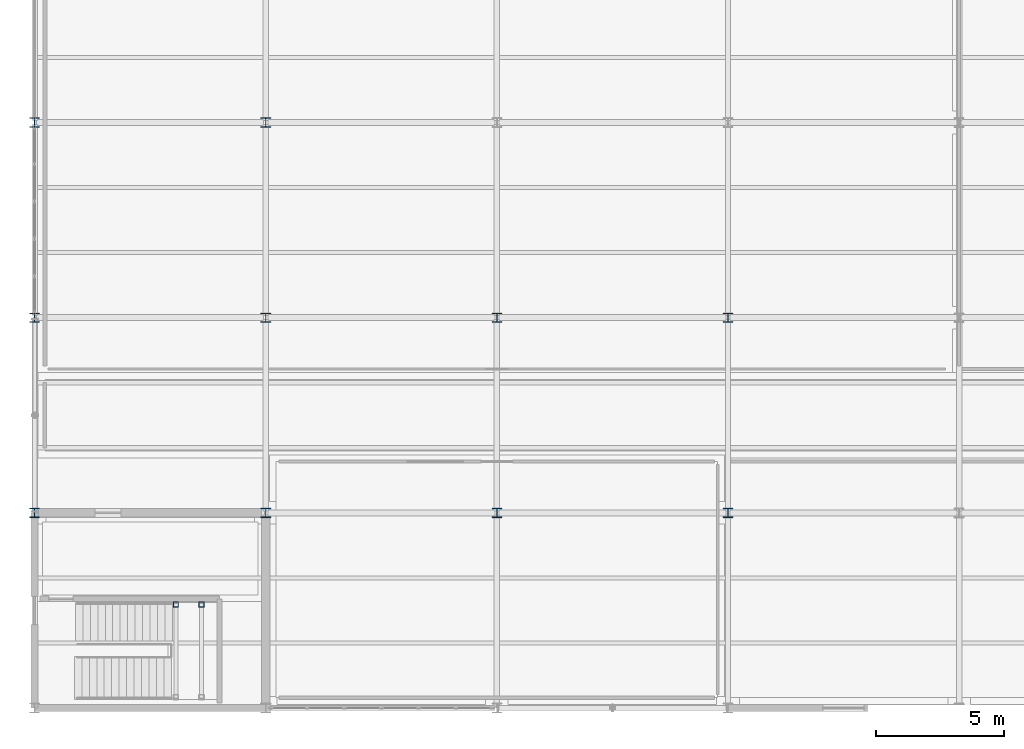
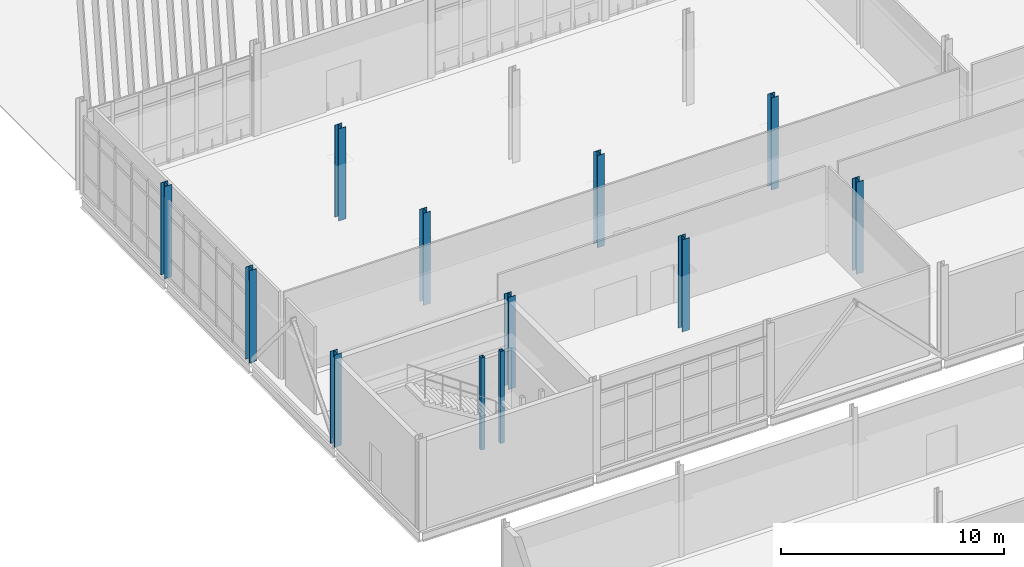
# One storey, part 6 of 161: 12 columns.
"""IFC4 building model written with IfcOpenShell, lengths in metres."""

from ifc_helpers import new_model, si_unit, direction, frame, origin, origin_2d, place, context, subcontext, project, spatial, hollow_rectangle, i_section, extrude, material, material_profile, profile_set, type_object, element, save


model = new_model("IFC4")

# Units and contexts
model_context = context("Model", 3, precision=1e-05, world=origin(), true_north=direction((0.0, 1.0)))
body_context = subcontext(model_context, "Body", "Model", "MODEL_VIEW")
ifc_project = project(units=[si_unit("LENGTHUNIT", "METRE"), si_unit("AREAUNIT", "SQUARE_METRE"), si_unit("VOLUMEUNIT", "CUBIC_METRE"), si_unit("PLANEANGLEUNIT", "RADIAN"), si_unit("MASSUNIT", "GRAM", prefix="KILO")], contexts=[model_context])

# Site, building, storey
site_placement = place(None, origin())
site = spatial("IfcSite", under=ifc_project, at=site_placement, CompositionType="ELEMENT")
building_placement = place(site_placement, origin())
building = spatial("IfcBuilding", under=site, at=building_placement, Name="Caisbarro Railhouse Central Library", CompositionType="ELEMENT")
storey_placement = place(building_placement, origin())
storey = spatial("IfcBuildingStorey", under=building, at=storey_placement, Name="L00", CompositionType="ELEMENT", Elevation=0.0)

# Columns
ifc_material = material(Name="Steel ASTM A572 Grade 50", Category="steel")
ifc_material_profile_1 = material_profile(ifc_material, i_section(OverallWidth=0.37109375, OverallDepth=0.364013671875, WebThickness=0.01318359375, FlangeThickness=0.021728515625, FilletRadius=0.01806640625, at=origin_2d()), Name="W360X162.0")
ifc_profile_set_1 = profile_set([ifc_material_profile_1], Name="Steel ASTM A572 Grade 50")
column_type_1 = type_object("IfcColumnType", Name="COL-C02", PredefinedType="COLUMN", material=ifc_profile_set_1)
for number, where, z_axis, x_axis, name in (
    (1, (0.0, 38.0, 0.0), (0.0, 0.0, 1.0), (1.0, 0.0, 0.0), "C02 column L00 (0.0,38.0)"),
    (2, (0.0, 45.60009765625, 0.0), (0.0, 0.0, 1.0), (1.0, 0.0, 0.0), "C02 column L00 (0.0,45.6)"),
    (3, (0.0, 53.199951171875, 0.0), (0.0, 0.0, 1.0), (1.0, 0.0, 0.0), "C02 column L00 (0.0,53.2)"),
    (4, (9.0, 38.0, 0.0), (0.0, 0.0, 1.0), (1.0, 0.0, 0.0), "C02 column L00 (9.0,38.0)"),
    (5, (9.0, 45.60009765625, 0.0), (0.0, 0.0, 1.0), (1.0, 0.0, 0.0), "C02 column L00 (9.0,45.6)"),
    (6, (9.0, 53.199951171875, 0.0), (0.0, 0.0, 1.0), (1.0, 0.0, 0.0), "C02 column L00 (9.0,53.2)"),
    (7, (18.0, 38.0, 0.0), (0.0, 0.0, 1.0), (1.0, 0.0, 0.0), "C02 column L00 (18.0,38.0)"),
    (8, (18.0, 45.60009765625, 0.0), (0.0, 0.0, 1.0), (1.0, 0.0, 0.0), "C02 column L00 (18.0,45.6)"),
    (9, (27.0, 38.0, 0.0), (0.0, 0.0, 1.0), (1.0, 0.0, 0.0), "C02 column L00 (27.0,38.0)"),
    (10, (27.0, 45.60009765625, 0.0), (0.0, 0.0, 1.0), (1.0, 0.0, 0.0), "C02 column L00 (27.0,45.6)"),
):
    element("IfcColumn", number, at=place(storey_placement, frame(where, z_axis=z_axis, x_axis=x_axis)), inside=storey, type_object=column_type_1, Name=name, PredefinedType="COLUMN", context=body_context, shape_type="SweptSolid", body=[
        extrude(i_section(OverallWidth=0.37109375, OverallDepth=0.364013671875, WebThickness=0.01318359375, FlangeThickness=0.021728515625, FilletRadius=0.01806640625, at=origin_2d()), origin(), (0.0, 0.0, 1.0), 5.0400390625),
    ])
ifc_material_profile_2 = material_profile(ifc_material, hollow_rectangle(XDim=0.199951171875, YDim=0.199951171875, WallThickness=0.012451171875, at=origin_2d()), Name="HSS200X200X12.5")
ifc_profile_set_2 = profile_set([ifc_material_profile_2], Name="Steel ASTM A572 Grade 50")
column_type_2 = type_object("IfcColumnType", Name="COL-C10", PredefinedType="COLUMN", material=ifc_profile_set_2)
for number, where, z_axis, x_axis, name in (
    (11, (5.5, 34.429931640625, 0.0), (0.0, 0.0, 1.0), (1.0, 0.0, 0.0), "C10 Stair Landing Post K6 L00.2"),
    (12, (6.5, 34.429931640625, 0.0), (0.0, 0.0, 1.0), (1.0, 0.0, 0.0), "C10 Stair Landing Post K6 L00.4"),
):
    element("IfcColumn", number, at=place(storey_placement, frame(where, z_axis=z_axis, x_axis=x_axis)), inside=storey, type_object=column_type_2, Name=name, PredefinedType="COLUMN", context=body_context, shape_type="SweptSolid", body=[
        extrude(hollow_rectangle(XDim=0.199951171875, YDim=0.199951171875, WallThickness=0.012451171875, at=origin_2d()), origin(), (0.0, 0.0, 1.0), 5.0400390625),
    ])

save(model, "model.ifc")
